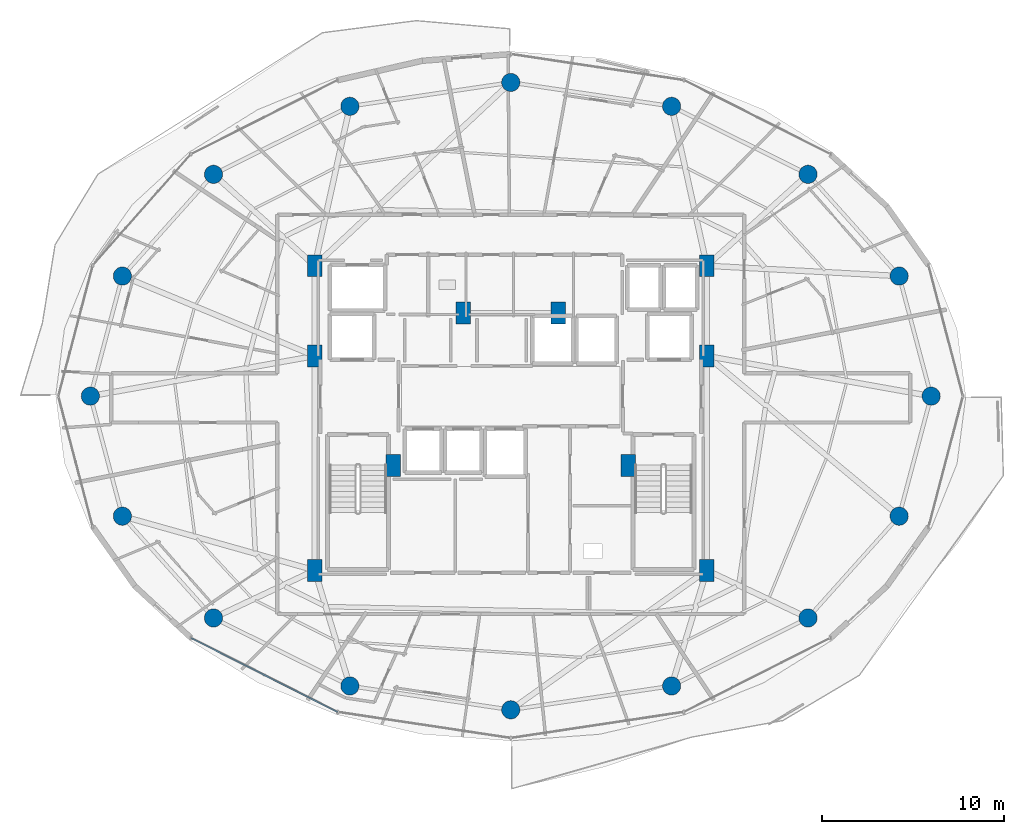
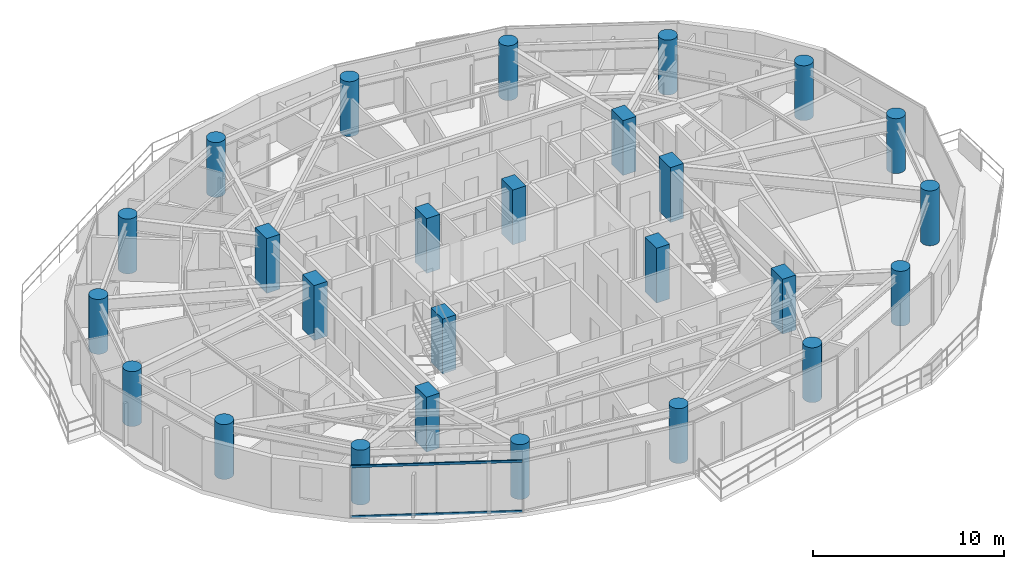
# One storey, part 1 of 30: 26 columns, 2 members, 1 element without a shape of its own.
"""IFC4 building model written with IfcOpenShell, lengths in metres."""

import ifcopenshell
import ifcopenshell.guid

model = None  # the IFC model being written
_history = None  # IfcOwnerHistory: only IFC2X3 demands one
_inside = {}  # id of a spatial element -> (the spatial element, [elements in it])
_under = {}  # id of a project, library or spatial element -> (it, [spatial elements below it])
_declared = {}  # id of a project -> (the project, [libraries it declares])
_typed = {}  # id of a type object -> (the type object, [elements of that type])
_made_of = {}  # id of a material, layer set ... -> (it, [elements and type objects made of it])


def new_model(schema):
    """Start an empty IFC model of exactly this schema.

    Asked for "IFC4X3", IfcOpenShell would pick the latest addendum, in which some entities
    have other attributes; the version numbers below select the first issue.
    IFC2X3 requires an IfcOwnerHistory on every rooted entity: one is made here for all.
    """
    global model, _history
    if schema == "IFC4X3":
        model = ifcopenshell.file(schema_version=(4, 3, 0, 0))
    else:
        model = ifcopenshell.file(schema=schema)
    _inside.clear()
    _under.clear()
    _declared.clear()
    _typed.clear()
    _made_of.clear()
    _history = None
    if model.schema == "IFC2X3":
        org = make("IfcOrganization", Name="unknown")
        user = make(
            "IfcPersonAndOrganization",
            ThePerson=make("IfcPerson", FamilyName="unknown"),
            TheOrganization=org,
        )
        app = make(
            "IfcApplication",
            ApplicationDeveloper=org,
            Version="unknown",
            ApplicationFullName="unknown",
            ApplicationIdentifier="unknown",
        )
        _history = make(
            "IfcOwnerHistory",
            OwningUser=user,
            OwningApplication=app,
            ChangeAction="ADDED",
            CreationDate=0,
        )
    return model


def make(cls, **values):
    """One entity of the class cls with the attributes given. An attribute that is None is left unset."""
    return model.create_entity(
        cls, **{name: value for name, value in values.items() if value is not None}
    )


def rooted(cls, **values):
    """An entity with a GlobalId (a new one), such as an element, a storey or a relation."""
    return make(cls, GlobalId=ifcopenshell.guid.new(), OwnerHistory=_history, **values)


def si_unit(unit_type, name, prefix=None):
    """IfcSIUnit, for example si_unit("LENGTHUNIT", "METRE", prefix="MILLI")."""
    return make("IfcSIUnit", UnitType=unit_type, Prefix=prefix, Name=name)


def assignment(units):
    """IfcUnitAssignment: the units of a project."""
    return None if units is None else make("IfcUnitAssignment", Units=units)


def point(xyz):
    """IfcCartesianPoint."""
    return None if xyz is None else make("IfcCartesianPoint", Coordinates=xyz)


def direction(xyz):
    """IfcDirection."""
    return None if xyz is None else make("IfcDirection", DirectionRatios=xyz)


def frame(location, z_axis=None, x_axis=None):
    """IfcAxis2Placement3D, a coordinate frame: its origin and axes. An axis left out is left unset."""
    return make(
        "IfcAxis2Placement3D",
        Location=point(location),
        Axis=direction(z_axis),
        RefDirection=direction(x_axis),
    )


def frame_2d(location, x_axis=None):
    """IfcAxis2Placement2D, a coordinate frame in the plane: its origin and x axis."""
    return make(
        "IfcAxis2Placement2D", Location=point(location), RefDirection=direction(x_axis)
    )


def origin():
    """The frame at (0, 0, 0) with its axes left unset."""
    return frame((0.0, 0.0, 0.0))


def origin_2d():
    """The frame at (0, 0) in the plane with its x axis left unset."""
    return frame_2d((0.0, 0.0))


def place(relative_to, where):
    """IfcLocalPlacement: puts the frame where relative to a parent placement (None: the world)."""
    return make(
        "IfcLocalPlacement", PlacementRelTo=relative_to, RelativePlacement=where
    )


def context(
    kind, dimensions, precision=None, world=None, true_north=None, identifier=None
):
    """IfcGeometricRepresentationContext, for example the 3D "Model" context."""
    return make(
        "IfcGeometricRepresentationContext",
        ContextIdentifier=identifier,
        ContextType=kind,
        CoordinateSpaceDimension=dimensions,
        Precision=precision,
        WorldCoordinateSystem=world,
        TrueNorth=true_north,
    )


def subcontext(parent, identifier, kind, view, scale=None):
    """IfcGeometricRepresentationSubContext, for example "Body" below "Model"."""
    return make(
        "IfcGeometricRepresentationSubContext",
        ContextIdentifier=identifier,
        ContextType=kind,
        ParentContext=parent,
        TargetScale=scale,
        TargetView=view,
    )


def project(units=None, contexts=None):
    """IfcProject with its units and contexts."""
    return rooted(
        "IfcProject",
        Name="project",
        RepresentationContexts=contexts,
        UnitsInContext=assignment(units),
    )


def spatial(cls, under=None, at=None, **own):
    """A site, building, storey or space (cls), placed at a placement, below another one or the project."""
    s = rooted(cls, ObjectPlacement=at, **own)
    if under is not None:
        _under.setdefault(under.id(), (under, []))[1].append(s)
    return s


def profile(cls, at=None, kind="AREA", **sizes):
    """A parametric profile (cls). Its sizes go by their IFC names, for example OverallWidth=200.0."""
    return make(cls, ProfileType=kind, Position=at, **sizes)


def rectangle(**sizes):
    """IfcRectangleProfileDef."""
    return profile("IfcRectangleProfileDef", **sizes)


def hollow_rectangle(**sizes):
    """IfcRectangleHollowProfileDef."""
    return profile("IfcRectangleHollowProfileDef", **sizes)


def circle(**sizes):
    """IfcCircleProfileDef."""
    return profile("IfcCircleProfileDef", **sizes)


def extrude(swept, where, along, depth):
    """IfcExtrudedAreaSolid: the profile swept, set in the frame where, extruded along a direction by depth."""
    return make(
        "IfcExtrudedAreaSolid",
        SweptArea=swept,
        Position=where,
        ExtrudedDirection=direction(along),
        Depth=depth,
    )


def shape(context_of_items, identifier, shape_type, items):
    """IfcShapeRepresentation: the items that make up one representation, for example the "Body"."""
    return make(
        "IfcShapeRepresentation",
        ContextOfItems=context_of_items,
        RepresentationIdentifier=identifier,
        RepresentationType=shape_type,
        Items=items,
    )


def material(Name=None, Category=None):
    """IfcMaterial."""
    return make("IfcMaterial", Name=Name, Category=Category)


def material_profile(
    of_material, cross_section, Name=None, Category=None, Priority=None
):
    """IfcMaterialProfile: a cross section and its material."""
    return make(
        "IfcMaterialProfile",
        Name=Name,
        Material=of_material,
        Profile=cross_section,
        Priority=Priority,
        Category=Category,
    )


def profile_set(profiles, Name=None, composite=None):
    """IfcMaterialProfileSet."""
    return make(
        "IfcMaterialProfileSet",
        Name=Name,
        MaterialProfiles=profiles,
        CompositeProfile=composite,
    )


def made_of(thing, what):
    """Note that an element or type object is made of a material, layer set ...; save() writes the relation."""
    if what is not None:
        _made_of.setdefault(what.id(), (what, []))[1].append(thing)
    return thing


def type_object(cls, material=None, **own):
    """A type object (cls), such as IfcWallType, which elements share."""
    return made_of(rooted(cls, **own), material)


def element(
    cls,
    number,
    at=None,
    inside=None,
    cuts=None,
    type_object=None,
    material=None,
    context=None,
    identifier="Body",
    shape_type=None,
    held_by="IfcProductDefinitionShape",
    body=None,
    shapes=None,
    **own,
):
    """One element of the class cls, such as IfcWall. Its Tag is "e" and its number.

    at: its placement. inside: the storey or other place that contains it. cuts: it is an
    opening in that element (IfcRelVoidsElement). A single representation is given by context,
    identifier, shape_type and body (its items); several are given by shapes. held_by: the class
    of the entity that holds the representations. save() writes the other relations.
    """
    e = rooted(cls, Tag="e%d" % number, ObjectPlacement=at, **own)
    if body is not None:
        shapes = [shape(context, identifier, shape_type, body)]
    if shapes is not None:
        e.Representation = make(held_by, Representations=shapes)
    if inside is not None:
        _inside.setdefault(inside.id(), (inside, []))[1].append(e)
    if cuts is not None:
        rooted(
            "IfcRelVoidsElement", RelatingBuildingElement=cuts, RelatedOpeningElement=e
        )
    if type_object is not None:
        _typed.setdefault(type_object.id(), (type_object, []))[1].append(e)
    return made_of(e, material)


def aggregate(whole, parts):
    """IfcRelAggregates: a whole, such as a stair, and the parts it consists of."""
    return rooted("IfcRelAggregates", RelatingObject=whole, RelatedObjects=parts)


def save(model, path):
    """Write the relations noted so far, then the file.

    IfcRelAggregates (storeys below a building ...), IfcRelContainedInSpatialStructure (elements
    in a storey), IfcRelDefinesByType, IfcRelAssociatesMaterial and IfcRelDeclares: one each for
    every whole, place, type object, material and project.
    """
    for whole, parts in _under.values():
        aggregate(whole, parts)
    for where, things in _inside.values():
        rooted(
            "IfcRelContainedInSpatialStructure",
            RelatedElements=things,
            RelatingStructure=where,
        )
    for kind, things in _typed.values():
        rooted("IfcRelDefinesByType", RelatedObjects=things, RelatingType=kind)
    for what, things in _made_of.values():
        rooted("IfcRelAssociatesMaterial", RelatedObjects=things, RelatingMaterial=what)
    for by, libraries in _declared.values():
        rooted("IfcRelDeclares", RelatingContext=by, RelatedDefinitions=libraries)
    model.write(path)


model = new_model("IFC4")

# Units and contexts
model_context = context("Model", 3, precision=1e-05, world=origin(), true_north=direction((0.0, 1.0)))
body_context = subcontext(model_context, "Body", "Model", "MODEL_VIEW")
ifc_project = project(units=[si_unit("LENGTHUNIT", "METRE"), si_unit("AREAUNIT", "SQUARE_METRE"), si_unit("VOLUMEUNIT", "CUBIC_METRE"), si_unit("PLANEANGLEUNIT", "RADIAN"), si_unit("MASSUNIT", "GRAM", prefix="KILO")], contexts=[model_context])

# Site, building, storey
site_placement = place(None, origin())
site = spatial("IfcSite", under=ifc_project, at=site_placement, CompositionType="ELEMENT")
building_placement = place(site_placement, origin())
building = spatial("IfcBuilding", under=site, at=building_placement, Name="Vorneva Point Tower", CompositionType="ELEMENT")
storey_placement = place(building_placement, frame((0.0, 0.0, 157.10009765625)))
storey = spatial("IfcBuildingStorey", under=building, at=storey_placement, Name="L42", CompositionType="ELEMENT", Elevation=157.10009765625)

# Columns
ifc_material_1 = material(Name="Concrete B60 (C50/60)", Category="concrete")
ifc_material_profile_1 = material_profile(ifc_material_1, circle(Radius=0.5, at=origin_2d()), Name="RC-CIRC 1000")
ifc_profile_set_1 = profile_set([ifc_material_profile_1], Name="Concrete B60 (C50/60)")
column_type_1 = type_object("IfcColumnType", Name="COL-RC1000C", PredefinedType="COLUMN", material=ifc_profile_set_1)
for number, where, z_axis, x_axis, name in (
    (1, (61.050048828125, 26.0, 0.0), (0.0, 0.0, 1.0), (1.0, 0.0, 0.0), "L42 Perimeter Column P01"),
    (2, (59.29541015625, 32.582275390625, 0.0), (0.0, 0.0, 1.0), (0.923879532511, 0.382683432365, 0.0), "L42 Perimeter Column P02"),
    (3, (54.298828125, 38.162109375, 0.0), (0.0, 0.0, 1.0), (0.707106781187, 0.707106781187, 0.0), "L42 Perimeter Column P03"),
    (4, (46.82080078125, 41.890625, 0.0), (0.0, 0.0, 1.0), (0.382683432365, 0.923879532511, 0.0), "L42 Perimeter Column P04"),
    (5, (38.0, 43.199951171875, 0.0), (0.0, 0.0, 1.0), (0.0, 1.0, 0.0), "L42 Perimeter Column P05"),
    (6, (29.17919921875, 41.890625, 0.0), (0.0, 0.0, 1.0), (-0.382683432365, 0.923879532511, 0.0), "L42 Perimeter Column P06"),
    (7, (21.701171875, 38.162109375, 0.0), (0.0, 0.0, 1.0), (-0.707106781187, 0.707106781187, 0.0), "L42 Perimeter Column P07"),
    (8, (16.70458984375, 32.582275390625, 0.0), (0.0, 0.0, 1.0), (-0.923879532511, 0.382683432365, 0.0), "L42 Perimeter Column P08"),
    (9, (14.949951171875, 26.0, 0.0), (0.0, 0.0, 1.0), (-1.0, 0.0, 0.0), "L42 Perimeter Column P09"),
    (10, (16.70458984375, 19.417724609375, 0.0), (0.0, 0.0, 1.0), (-0.923879532511, -0.382683432365, 0.0), "L42 Perimeter Column P10"),
    (11, (21.701171875, 13.837890625, 0.0), (0.0, 0.0, 1.0), (-0.707106781187, -0.707106781187, 0.0), "L42 Perimeter Column P11"),
    (12, (29.17919921875, 10.109375, 0.0), (0.0, 0.0, 1.0), (-0.382683432365, -0.923879532511, 0.0), "L42 Perimeter Column P12"),
    (13, (38.0, 8.800048828125, 0.0), (0.0, 0.0, 1.0), (0.0, -1.0, 0.0), "L42 Perimeter Column P13"),
    (14, (46.82080078125, 10.109375, 0.0), (0.0, 0.0, 1.0), (0.382683432365, -0.923879532511, 0.0), "L42 Perimeter Column P14"),
    (15, (54.298828125, 13.837890625, 0.0), (0.0, 0.0, 1.0), (0.707106781187, -0.707106781187, 0.0), "L42 Perimeter Column P15"),
    (16, (59.29541015625, 19.417724609375, 0.0), (0.0, 0.0, 1.0), (0.923879532511, -0.382683432365, 0.0), "L42 Perimeter Column P16"),
):
    element("IfcColumn", number, at=place(storey_placement, frame(where, z_axis=z_axis, x_axis=x_axis)), inside=storey, type_object=column_type_1, Name=name, PredefinedType="COLUMN", context=body_context, shape_type="SweptSolid", body=[
        extrude(circle(Radius=0.5, at=origin_2d()), origin(), (0.0, 0.0, 1.0), 3.5),
    ])
ifc_material_profile_2 = material_profile(ifc_material_1, rectangle(XDim=0.800048828125, YDim=1.199951171875, at=origin_2d()), Name="RC-PIL 1200x800")
ifc_profile_set_2 = profile_set([ifc_material_profile_2], Name="Concrete B60 (C50/60)")
column_type_2 = type_object("IfcColumnType", Name="PIL-RC1200x800", PredefinedType="PILASTER", material=ifc_profile_set_2)
for number, where, z_axis, x_axis, name in (
    (17, (27.25, 16.449951171875, 0.0), (0.0, 0.0, 1.0), (1.0, 0.0, 0.0), "L42 Core Pilaster CP1"),
    (18, (27.25, 28.199951171875, 0.0), (0.0, 0.0, 1.0), (1.0, 0.0, 0.0), "L42 Core Pilaster CP2"),
    (19, (27.25, 33.14990234375, 0.0), (0.0, 0.0, 1.0), (1.0, 0.0, 0.0), "L42 Core Pilaster CP3"),
    (20, (31.550048828125, 22.199951171875, 0.0), (0.0, 0.0, 1.0), (1.0, 0.0, 0.0), "L42 Core Pilaster CP4"),
    (21, (48.75, 33.14990234375, 0.0), (0.0, 0.0, 1.0), (1.0, 0.0, 0.0), "L42 Core Pilaster CP5"),
    (22, (48.75, 28.199951171875, 0.0), (0.0, 0.0, 1.0), (1.0, 0.0, 0.0), "L42 Core Pilaster CP6"),
    (23, (48.75, 16.449951171875, 0.0), (0.0, 0.0, 1.0), (1.0, 0.0, 0.0), "L42 Core Pilaster CP7"),
    (24, (44.449951171875, 22.199951171875, 0.0), (0.0, 0.0, 1.0), (1.0, 0.0, 0.0), "L42 Core Pilaster CP8"),
    (25, (35.39990234375, 30.550048828125, 0.0), (0.0, 0.0, 1.0), (1.0, 0.0, 0.0), "L42 Core Pilaster CP9"),
    (26, (40.60009765625, 30.550048828125, 0.0), (0.0, 0.0, 1.0), (1.0, 0.0, 0.0), "L42 Core Pilaster CP10"),
):
    element("IfcColumn", number, at=place(storey_placement, frame(where, z_axis=z_axis, x_axis=x_axis)), inside=storey, type_object=column_type_2, Name=name, PredefinedType="PILASTER", context=body_context, shape_type="SweptSolid", body=[
        extrude(rectangle(XDim=0.800048828125, YDim=1.199951171875, at=origin_2d()), origin(), (0.0, 0.0, 1.0), 3.5),
    ])

# Curtain wall, members
ifc_material_2 = material(Name="Pale anodised aluminium", Category="aluminium")
curtain_wall_type = type_object("IfcCurtainWallType", Name="CW-RES-SYS", PredefinedType="NOTDEFINED", material=ifc_material_2)
curtain_wall_placement = place(storey_placement, origin())
curtain_wall = element("IfcCurtainWall", 27, at=curtain_wall_placement, inside=storey, type_object=curtain_wall_type, Name="L42 Unitised Curtain Wall CW-L42-R04", PredefinedType="NOTDEFINED")
ifc_material_profile_3 = material_profile(ifc_material_2, hollow_rectangle(XDim=0.074951171875, YDim=0.14990234375, WallThickness=0.00390625, at=origin_2d()), Name="AL-TRN 150x75x4")
ifc_profile_set_3 = profile_set([ifc_material_profile_3], Name="Pale anodised aluminium")
member_type = type_object("IfcMemberType", Name="CW-TRN-150", PredefinedType="USERDEFINED", material=ifc_profile_set_3)
member_1_placement = place(storey_placement, frame((20.4638671875, 12.74169921875, 0.02001953125), z_axis=(0.892572392955, -0.450904117673, 0.0), x_axis=(0.450904117673, 0.892572392955, 0.0)))
member_1 = element("IfcMember", 28, at=member_1_placement, type_object=member_type, Name="CW-L42-R04 Transom 01.1", ObjectType="TRANSOM", PredefinedType="USERDEFINED", context=body_context, shape_type="SweptSolid", body=[
    extrude(hollow_rectangle(XDim=0.074951171875, YDim=0.14990234375, WallThickness=0.00390625, at=origin_2d()), origin(), (0.0, 0.0, 1.0), 9.013916015625),
])
member_2_placement = place(storey_placement, frame((20.4638671875, 12.74169921875, 3.219970703125), z_axis=(0.892572392955, -0.450904117673, 0.0), x_axis=(0.450904117673, 0.892572392955, 0.0)))
member_2 = element("IfcMember", 29, at=member_2_placement, type_object=member_type, Name="CW-L42-R04 Transom 01.2", ObjectType="TRANSOM", PredefinedType="USERDEFINED", context=body_context, shape_type="SweptSolid", body=[
    extrude(hollow_rectangle(XDim=0.074951171875, YDim=0.14990234375, WallThickness=0.00390625, at=origin_2d()), origin(), (0.0, 0.0, 1.0), 9.013916015625),
])
aggregate(curtain_wall, [member_1, member_2])

save(model, "model.ifc")
